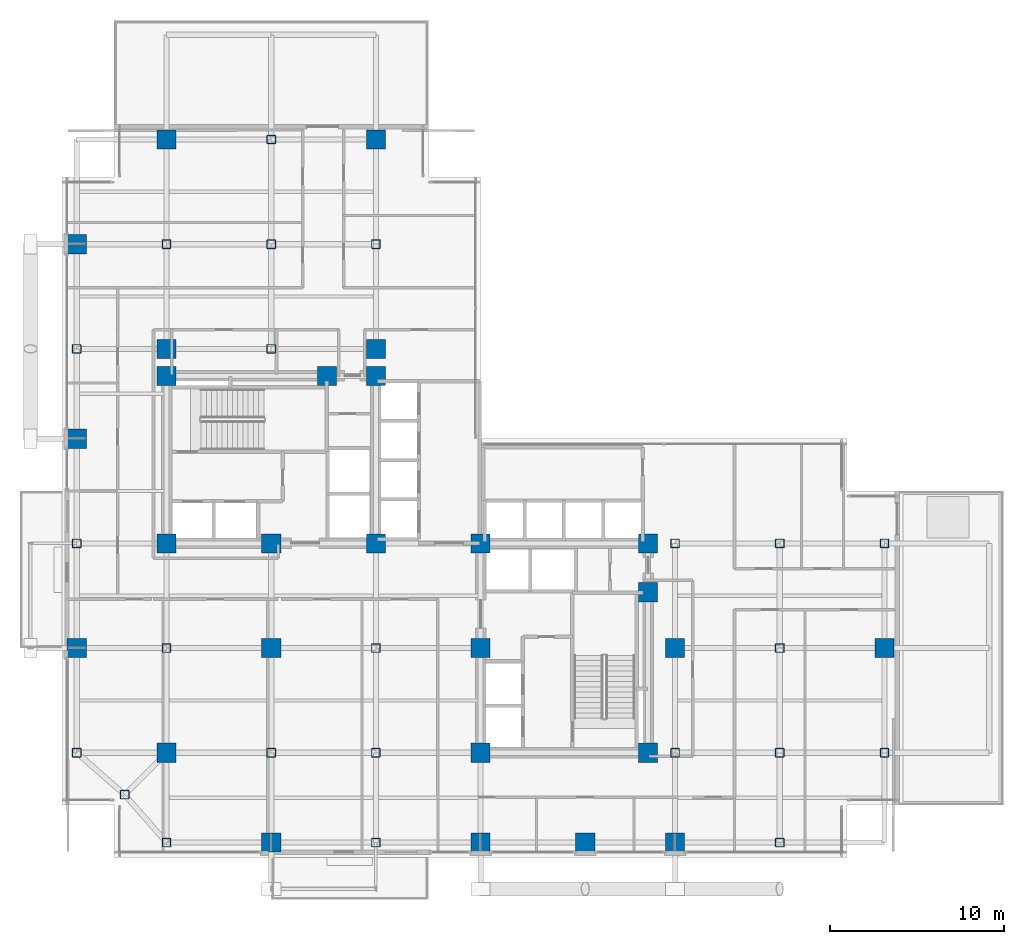
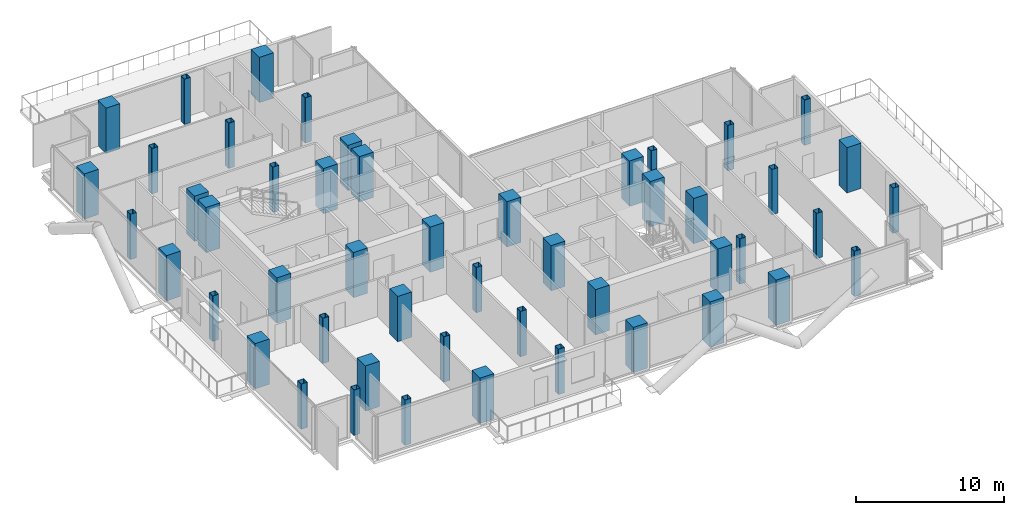
# One storey, part 1 of 26: 50 columns.
"""IFC4 building model written with IfcOpenShell, lengths in metres."""

from ifc_helpers import new_model, si_unit, direction, frame, origin, origin_2d, place, context, subcontext, project, spatial, rectangle, hollow_rectangle, extrude, material, material_profile, profile_set, type_object, element, save


model = new_model("IFC4")

# Units and contexts
model_context = context("Model", 3, precision=1e-05, world=origin(), true_north=direction((0.0, 1.0)))
body_context = subcontext(model_context, "Body", "Model", "MODEL_VIEW")
ifc_project = project(units=[si_unit("LENGTHUNIT", "METRE"), si_unit("AREAUNIT", "SQUARE_METRE"), si_unit("VOLUMEUNIT", "CUBIC_METRE"), si_unit("PLANEANGLEUNIT", "RADIAN"), si_unit("MASSUNIT", "GRAM", prefix="KILO"), si_unit("THERMODYNAMICTEMPERATUREUNIT", "KELVIN"), si_unit("POWERUNIT", "WATT")], contexts=[model_context])

# Site, building, storey
site_placement = place(None, origin())
site = spatial("IfcSite", under=ifc_project, at=site_placement, CompositionType="ELEMENT")
building_placement = place(site_placement, origin())
building = spatial("IfcBuilding", under=site, at=building_placement, Name="Svarakhadi Broadcast Tower", CompositionType="ELEMENT")
storey_placement = place(building_placement, frame((0.0, 0.0, 99.60009765625)))
storey = spatial("IfcBuildingStorey", under=building, at=storey_placement, Name="L23", CompositionType="ELEMENT", Elevation=99.60009765625)

# Columns
ifc_material_1 = material(Name="Concrete C50/60 (IS 456 M60)", Category="concrete")
ifc_material_profile_1 = material_profile(ifc_material_1, rectangle(XDim=1.10009765625, YDim=1.10009765625, at=origin_2d()), Name="RC 1100x1100")
ifc_profile_set_1 = profile_set([ifc_material_profile_1], Name="Concrete C50/60 (IS 456 M60)")
column_type_1 = type_object("IfcColumnType", Name="Col_RC1100", PredefinedType="COLUMN", material=ifc_profile_set_1)
for number, where, z_axis, x_axis, name in (
    (1, (6.0, 18.0, 0.0), (0.0, 0.0, 1.0), (1.0, 0.0, 0.0), "L23 Column CW1"),
    (2, (12.0, 18.0, 0.0), (0.0, 0.0, 1.0), (1.0, 0.0, 0.0), "L23 Column CW2"),
    (3, (18.0, 18.0, 0.0), (0.0, 0.0, 1.0), (1.0, 0.0, 0.0), "L23 Column CW3"),
    (4, (6.0, 27.60009765625, 0.0), (0.0, 0.0, 1.0), (1.0, 0.0, 0.0), "L23 Column CW4"),
    (5, (15.199951171875, 27.60009765625, 0.0), (0.0, 0.0, 1.0), (1.0, 0.0, 0.0), "L23 Column CW5"),
    (6, (18.0, 27.60009765625, 0.0), (0.0, 0.0, 1.0), (1.0, 0.0, 0.0), "L23 Column CW6"),
    (7, (24.0, 6.0, 0.0), (0.0, 0.0, 1.0), (1.0, 0.0, 0.0), "L23 Column CE1"),
    (8, (24.0, 12.0, 0.0), (0.0, 0.0, 1.0), (1.0, 0.0, 0.0), "L23 Column CE2"),
    (9, (24.0, 18.0, 0.0), (0.0, 0.0, 1.0), (1.0, 0.0, 0.0), "L23 Column CE3"),
    (10, (33.60009765625, 6.0, 0.0), (0.0, 0.0, 1.0), (1.0, 0.0, 0.0), "L23 Column CE4"),
    (11, (33.60009765625, 15.199951171875, 0.0), (0.0, 0.0, 1.0), (1.0, 0.0, 0.0), "L23 Column CE5"),
    (12, (33.60009765625, 18.0, 0.0), (0.0, 0.0, 1.0), (1.0, 0.0, 0.0), "L23 Column CE6"),
    (13, (0.85009765625, 12.0, 0.0), (0.0, 0.0, 1.0), (1.0, 0.0, 0.0), "L23 Column G04"),
    (14, (0.85009765625, 24.0, 0.0), (0.0, 0.0, 1.0), (1.0, 0.0, 0.0), "L23 Column G06"),
    (15, (0.85009765625, 35.14990234375, 0.0), (0.0, 0.0, 1.0), (1.0, 0.0, 0.0), "L23 Column G08"),
    (16, (6.0, 6.0, 0.0), (0.0, 0.0, 1.0), (1.0, 0.0, 0.0), "L23 Column G12"),
    (17, (6.0, 29.14990234375, 0.0), (0.0, 0.0, 1.0), (1.0, 0.0, 0.0), "L23 Column G14"),
    (18, (6.0, 41.14990234375, 0.0), (0.0, 0.0, 1.0), (1.0, 0.0, 0.0), "L23 Column G16"),
    (19, (12.0, 0.85009765625, 0.0), (0.0, 0.0, 1.0), (1.0, 0.0, 0.0), "L23 Column G18"),
    (20, (12.0, 12.0, 0.0), (0.0, 0.0, 1.0), (1.0, 0.0, 0.0), "L23 Column G20"),
    (21, (18.0, 29.14990234375, 0.0), (0.0, 0.0, 1.0), (1.0, 0.0, 0.0), "L23 Column G28"),
    (22, (18.0, 41.14990234375, 0.0), (0.0, 0.0, 1.0), (1.0, 0.0, 0.0), "L23 Column G30"),
    (23, (24.0, 0.85009765625, 0.0), (0.0, 0.0, 1.0), (1.0, 0.0, 0.0), "L23 Column G32"),
    (24, (30.0, 0.85009765625, 0.0), (0.0, 0.0, 1.0), (1.0, 0.0, 0.0), "L23 Column G36"),
    (25, (35.14990234375, 0.85009765625, 0.0), (0.0, 0.0, 1.0), (1.0, 0.0, 0.0), "L23 Column G38"),
    (26, (35.14990234375, 12.0, 0.0), (0.0, 0.0, 1.0), (1.0, 0.0, 0.0), "L23 Column G40"),
    (27, (47.14990234375, 12.0, 0.0), (0.0, 0.0, 1.0), (1.0, 0.0, 0.0), "L23 Column G52"),
):
    element("IfcColumn", number, at=place(storey_placement, frame(where, z_axis=z_axis, x_axis=x_axis)), inside=storey, type_object=column_type_1, Name=name, PredefinedType="COLUMN", context=body_context, shape_type="SweptSolid", body=[
        extrude(rectangle(XDim=1.10009765625, YDim=1.10009765625, at=origin_2d()), origin(), (0.0, 0.0, 1.0), 3.75),
    ])
ifc_material_2 = material(Name="Steel S460ML (IS 2062 E450BR)", Category="steel")
ifc_material_profile_2 = material_profile(ifc_material_2, hollow_rectangle(XDim=0.5, YDim=0.5, WallThickness=0.02490234375, InnerFilletRadius=0.02490234375, OuterFilletRadius=0.0400390625, at=origin_2d()), Name="SHS 500x500x25")
ifc_profile_set_2 = profile_set([ifc_material_profile_2], Name="Steel S460ML (IS 2062 E450BR)")
column_type_2 = type_object("IfcColumnType", Name="Col_SHS500", PredefinedType="COLUMN", material=ifc_profile_set_2)
for number, where, z_axis, x_axis, name in (
    (28, (3.60009765625, 3.60009765625, 0.0), (0.0, 0.0, 1.0), (1.0, 0.0, 0.0), "L23 Column G01"),
    (29, (0.85009765625, 6.0, 0.0), (0.0, 0.0, 1.0), (1.0, 0.0, 0.0), "L23 Column G03"),
    (30, (0.85009765625, 18.0, 0.0), (0.0, 0.0, 1.0), (1.0, 0.0, 0.0), "L23 Column G05"),
    (31, (0.85009765625, 29.14990234375, 0.0), (0.0, 0.0, 1.0), (1.0, 0.0, 0.0), "L23 Column G07"),
    (32, (6.0, 0.85009765625, 0.0), (0.0, 0.0, 1.0), (1.0, 0.0, 0.0), "L23 Column G11"),
    (33, (6.0, 12.0, 0.0), (0.0, 0.0, 1.0), (1.0, 0.0, 0.0), "L23 Column G13"),
    (34, (6.0, 35.14990234375, 0.0), (0.0, 0.0, 1.0), (1.0, 0.0, 0.0), "L23 Column G15"),
    (35, (12.0, 6.0, 0.0), (0.0, 0.0, 1.0), (1.0, 0.0, 0.0), "L23 Column G19"),
    (36, (12.0, 29.14990234375, 0.0), (0.0, 0.0, 1.0), (1.0, 0.0, 0.0), "L23 Column G21"),
    (37, (12.0, 35.14990234375, 0.0), (0.0, 0.0, 1.0), (1.0, 0.0, 0.0), "L23 Column G22"),
    (38, (12.0, 41.14990234375, 0.0), (0.0, 0.0, 1.0), (1.0, 0.0, 0.0), "L23 Column G23"),
    (39, (18.0, 0.85009765625, 0.0), (0.0, 0.0, 1.0), (1.0, 0.0, 0.0), "L23 Column G25"),
    (40, (18.0, 6.0, 0.0), (0.0, 0.0, 1.0), (1.0, 0.0, 0.0), "L23 Column G26"),
    (41, (18.0, 12.0, 0.0), (0.0, 0.0, 1.0), (1.0, 0.0, 0.0), "L23 Column G27"),
    (42, (18.0, 35.14990234375, 0.0), (0.0, 0.0, 1.0), (1.0, 0.0, 0.0), "L23 Column G29"),
    (43, (35.14990234375, 6.0, 0.0), (0.0, 0.0, 1.0), (1.0, 0.0, 0.0), "L23 Column G39"),
    (44, (35.14990234375, 18.0, 0.0), (0.0, 0.0, 1.0), (1.0, 0.0, 0.0), "L23 Column G41"),
    (45, (41.14990234375, 0.85009765625, 0.0), (0.0, 0.0, 1.0), (1.0, 0.0, 0.0), "L23 Column G43"),
    (46, (41.14990234375, 6.0, 0.0), (0.0, 0.0, 1.0), (1.0, 0.0, 0.0), "L23 Column G44"),
    (47, (41.14990234375, 12.0, 0.0), (0.0, 0.0, 1.0), (1.0, 0.0, 0.0), "L23 Column G45"),
    (48, (41.14990234375, 18.0, 0.0), (0.0, 0.0, 1.0), (1.0, 0.0, 0.0), "L23 Column G46"),
    (49, (47.14990234375, 6.0, 0.0), (0.0, 0.0, 1.0), (1.0, 0.0, 0.0), "L23 Column G51"),
    (50, (47.14990234375, 18.0, 0.0), (0.0, 0.0, 1.0), (1.0, 0.0, 0.0), "L23 Column G53"),
):
    element("IfcColumn", number, at=place(storey_placement, frame(where, z_axis=z_axis, x_axis=x_axis)), inside=storey, type_object=column_type_2, Name=name, PredefinedType="COLUMN", context=body_context, shape_type="SweptSolid", body=[
        extrude(hollow_rectangle(XDim=0.5, YDim=0.5, WallThickness=0.02490234375, InnerFilletRadius=0.02490234375, OuterFilletRadius=0.0400390625, at=origin_2d()), origin(), (0.0, 0.0, 1.0), 3.75),
    ])

save(model, "model.ifc")
